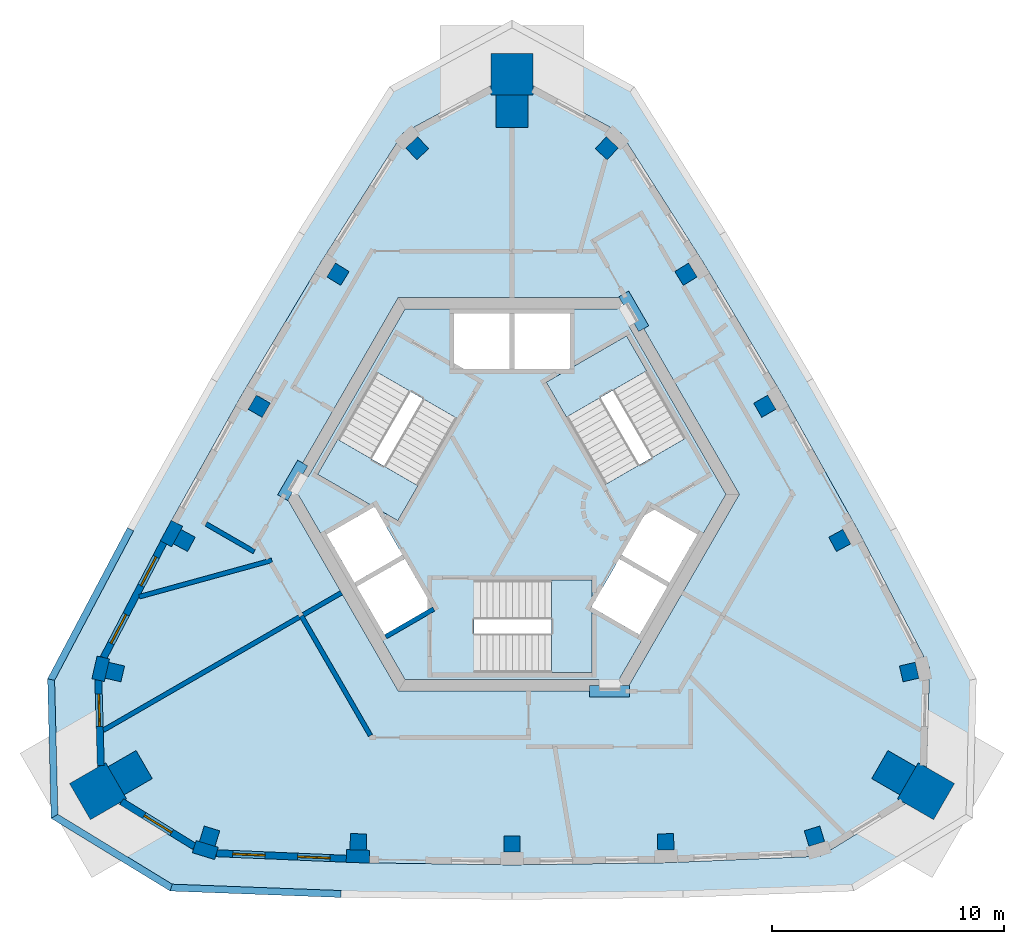
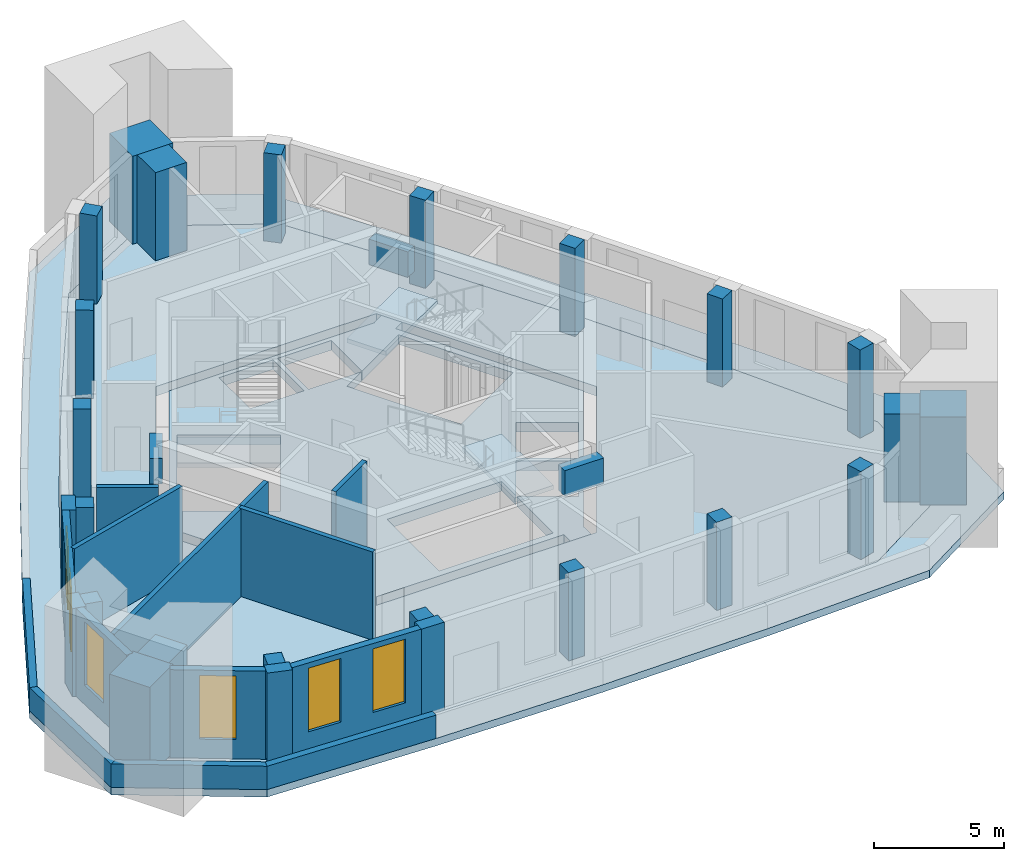
# One storey, part 1 of 7: 21 columns, 18 walls, 6 slabs, 6 windows, 3 beams, 6 openings, 3 elements without a shape of their own.
"""IFC4 building model written with IfcOpenShell, lengths in metres."""

from ifc_helpers import new_model, si_unit, direction, frame, frame_2d, origin, origin_2d, place, context, subcontext, project, spatial, polyline, rectangle, outline, extrude, material, layer, layer_set, material_profile, profile_set, type_object, element, fill, aggregate, save


model = new_model("IFC4")

# Units and contexts
model_context = context("Model", 3, precision=1e-05, world=origin(), true_north=direction((0.0, 1.0)))
body_context = subcontext(model_context, "Body", "Model", "MODEL_VIEW")
ifc_project = project(units=[si_unit("LENGTHUNIT", "METRE"), si_unit("AREAUNIT", "SQUARE_METRE"), si_unit("VOLUMEUNIT", "CUBIC_METRE"), si_unit("PLANEANGLEUNIT", "RADIAN"), si_unit("MASSUNIT", "GRAM", prefix="KILO")], contexts=[model_context])

# Site, building, storey
site_placement = place(None, origin())
site = spatial("IfcSite", under=ifc_project, at=site_placement, CompositionType="ELEMENT")
building_placement = place(site_placement, origin())
building = spatial("IfcBuilding", under=site, at=building_placement, Name="Entoto Arch Interchange Tower", CompositionType="ELEMENT")
storey_placement = place(building_placement, frame((0.0, 0.0, 349.39990234375)))
storey = spatial("IfcBuildingStorey", under=building, at=storey_placement, Name="L82", CompositionType="ELEMENT", Elevation=349.39990234375)

# Columns
ifc_material_1 = material(Name="Concrete C40/50", Category="concrete")
ifc_material_profile_1 = material_profile(ifc_material_1, rectangle(XDim=0.699951171875, YDim=0.699951171875, at=origin_2d()))
ifc_profile_set_1 = profile_set([ifc_material_profile_1], Name="Concrete C40/50")
column_type_1 = type_object("IfcColumnType", Name="Column RC 700x700 C40/50", PredefinedType="COLUMN", material=ifc_profile_set_1)
for number, where, z_axis, x_axis, name in (
    (1, (-13.055908203125, -12.260986328125, 0.0), (0.0, 0.0, 1.0), (-0.956141315658, 0.292905760428, 0.0), "Column S01 L82"),
    (2, (-6.634033203125, -12.506103515625, 0.0), (0.0, 0.0, 1.0), (-0.999597836772, 0.028357798245, 0.0), "Column S02 L82"),
    (3, (0.0, -12.60009765625, 0.0), (0.0, 0.0, 1.0), (1.0, 0.0, 0.0), "Column S03 L82"),
    (4, (6.634033203125, -12.506103515625, 0.0), (0.0, 0.0, 1.0), (0.999597836772, 0.028357798245, 0.0), "Column S04 L82"),
    (5, (13.055908203125, -12.260986328125, 0.0), (0.0, 0.0, 1.0), (0.956141315658, 0.292905760428, 0.0), "Column S05 L82"),
    (6, (17.14697265625, -5.176025390625, 0.0), (0.0, 0.0, 1.0), (-0.224406828383, 0.974495549182, 0.0), "Column NE01 L82"),
    (7, (14.14892578125, 0.5048828125, 0.0), (0.0, 0.0, 1.0), (-0.475224988253, 0.87986431371, 0.0), "Column NE02 L82"),
    (8, (10.912109375, 6.300048828125, 0.0), (0.0, 0.0, 1.0), (-0.5, 0.866025403784, 0.0), "Column NE03 L82"),
    (9, (7.511962890625, 12.0009765625, 0.0), (0.0, 0.0, 1.0), (-0.524372353429, 0.851489069195, 0.0), "Column NE04 L82"),
    (10, (4.091064453125, 17.43701171875, 0.0), (0.0, 0.0, 1.0), (-0.731734487274, 0.681589788754, 0.0), "Column NE05 L82"),
    (11, (-4.091064453125, 17.43701171875, 0.0), (0.0, 0.0, 1.0), (0.731734487274, 0.681589788754, 0.0), "Column NW01 L82"),
    (12, (-7.511962890625, 12.0009765625, 0.0), (0.0, 0.0, 1.0), (0.524372353429, 0.851489069195, 0.0), "Column NW02 L82"),
    (13, (-10.912109375, 6.300048828125, 0.0), (0.0, 0.0, 1.0), (0.5, 0.866025403784, 0.0), "Column NW03 L82"),
    (14, (-14.14892578125, 0.5048828125, 0.0), (0.0, 0.0, 1.0), (0.475224988253, 0.87986431371, 0.0), "Column NW04 L82"),
    (15, (-17.14697265625, -5.176025390625, 0.0), (0.0, 0.0, 1.0), (0.224406828383, 0.974495549182, 0.0), "Column NW05 L82"),
):
    element("IfcColumn", number, at=place(storey_placement, frame(where, z_axis=z_axis, x_axis=x_axis)), inside=storey, type_object=column_type_1, Name=name, PredefinedType="COLUMN", context=body_context, shape_type="SweptSolid", body=[
        extrude(rectangle(XDim=0.699951171875, YDim=0.699951171875, at=origin_2d()), origin(), (0.0, 0.0, 1.0), 4.150146484375),
    ])
ifc_material_2 = material(Name="Precast concrete C40/50", Category="concrete")
ifc_material_profile_2 = material_profile(ifc_material_2, rectangle(XDim=1.800048828125, YDim=1.800048828125, at=origin_2d()))
ifc_profile_set_2 = profile_set([ifc_material_profile_2], Name="Precast concrete C40/50")
column_type_2 = type_object("IfcColumnType", Name="Frame post RC 1800x1800 precast C40/50", PredefinedType="COLUMN", material=ifc_profile_set_2)
for number, where, z_axis, x_axis, name in (
    (16, (17.8720703125, -10.319091796875, 0.0), (0.0, 0.0, 1.0), (-0.866025403784, 0.5, 0.0), "Frame post SE L82"),
    (17, (0.0, 20.636962890625, 0.0), (0.0, 0.0, 1.0), (0.0, 1.0, 0.0), "Frame post N L82"),
    (18, (-17.8720703125, -10.319091796875, 0.0), (0.0, 0.0, 1.0), (0.866025403784, 0.5, 0.0), "Frame post SW L82"),
):
    element("IfcColumn", number, at=place(storey_placement, frame(where, z_axis=z_axis, x_axis=x_axis)), inside=storey, type_object=column_type_2, Name=name, PredefinedType="COLUMN", context=body_context, shape_type="SweptSolid", body=[
        extrude(rectangle(XDim=1.800048828125, YDim=1.800048828125, at=origin_2d()), origin(), (0.0, 0.0, 1.0), 4.150146484375),
    ])
ifc_material_profile_3 = material_profile(ifc_material_1, rectangle(XDim=1.39990234375, YDim=1.39990234375, at=origin_2d()))
ifc_profile_set_3 = profile_set([ifc_material_profile_3], Name="Concrete C40/50")
column_type_3 = type_object("IfcColumnType", Name="Mega column RC 1400x1400 C40/50", PredefinedType="COLUMN", material=ifc_profile_set_3)
for number, where, z_axis, x_axis, name in (
    (19, (16.486083984375, -9.51904296875, 0.0), (0.0, 0.0, 1.0), (-0.866025403784, 0.5, 0.0), "Corner mega column SE1 L82"),
    (20, (0.0, 19.037109375, 0.0), (0.0, 0.0, 1.0), (0.0, 1.0, 0.0), "Corner mega column N1 L82"),
    (21, (-16.486083984375, -9.51904296875, 0.0), (0.0, 0.0, 1.0), (0.866025403784, 0.5, 0.0), "Corner mega column SW1 L82"),
):
    element("IfcColumn", number, at=place(storey_placement, frame(where, z_axis=z_axis, x_axis=x_axis)), inside=storey, type_object=column_type_3, Name=name, PredefinedType="COLUMN", context=body_context, shape_type="SweptSolid", body=[
        extrude(rectangle(XDim=1.39990234375, YDim=1.39990234375, at=origin_2d()), origin(), (0.0, 0.0, 1.0), 4.150146484375),
    ])

# Beams
ifc_material_profile_4 = material_profile(ifc_material_1, rectangle(XDim=0.5, YDim=1.199951171875, at=origin_2d()))
ifc_profile_set_4 = profile_set([ifc_material_profile_4], Name="Concrete C40/50")
beam_type = type_object("IfcBeamType", Name="Coupling beam RC 500x1200 C40/50", PredefinedType="BEAM", material=ifc_profile_set_4)
for number, where, z_axis, x_axis, name in (
    (22, (5.68603515625, 9.65087890625, 3.0), (-0.500105721196, 0.865964357019, 0.0), (-0.865964357019, -0.500105721196, 0.0), "Coupling beam NE L82"),
    (23, (-9.035888671875, 3.84912109375, 3.0), (-0.500105721196, -0.865964357019, 0.0), (0.865964357019, -0.500105721196, 0.0), "Coupling beam NW L82"),
):
    element("IfcBeam", number, at=place(storey_placement, frame(where, z_axis=z_axis, x_axis=x_axis)), inside=storey, type_object=beam_type, Name=name, PredefinedType="BEAM", context=body_context, shape_type="SweptSolid", body=[
        extrude(rectangle(XDim=0.5, YDim=1.199951171875, at=origin_2d()), origin(), (0.0, 0.0, 1.0), 1.727783203125),
    ])
beam_placement = place(storey_placement, frame((3.35009765625, -6.0, 3.0), z_axis=(1.0, 0.0, 0.0), x_axis=(0.0, 1.0, 0.0)))
element("IfcBeam", 24, at=beam_placement, inside=storey, type_object=beam_type, Name="Coupling beam S L82", PredefinedType="BEAM", context=body_context, shape_type="SweptSolid", body=[
    extrude(rectangle(XDim=0.5, YDim=1.199951171875, at=origin_2d()), origin(), (0.0, 0.0, 1.0), 1.725830078125),
])

# Slab
ifc_layer_1 = layer(ifc_material_1, 0.449951171875)
ifc_layer_set_1 = layer_set([ifc_layer_1], Name="Concrete C40/50")
slab_type_1 = type_object("IfcSlabType", Name="Core floor slab 450 C40/50", PredefinedType="FLOOR", material=ifc_layer_set_1)
slab_1_placement = place(storey_placement, frame((0.0, 0.0, -0.449951171875)))
element("IfcSlab", 25, at=slab_1_placement, inside=storey, type_object=slab_type_1, Name="Core floor slab L82", PredefinedType="FLOOR", context=body_context, shape_type="SweptSolid", body=[
    extrude(outline(polyline([(-9.208984375, 2.449951171875), (-9.222900390625, 2.425048828125), (-9.699951171875, 2.699951171875), (-9.236083984375, 3.501953125), (-8.802978515625, 3.2529296875), (-4.618896484375, 10.5), (4.56103515625, 10.5), (4.5458984375, 10.52490234375), (5.02197265625, 10.800048828125), (5.486083984375, 9.998046875), (5.052978515625, 9.748046875), (9.238037109375, 2.5), (4.64794921875, -5.449951171875), (4.676025390625, -5.449951171875), (4.676025390625, -6.0), (3.75, -6.0), (3.75, -5.5), (-4.618896484375, -5.5), (-9.208984375, 2.449951171875)]), holes=[polyline([(-1.64990234375, -5.199951171875), (3.449951171875, -5.199951171875), (3.449951171875, -2.3779296875), (5.5048828125, -3.56494140625), (6.705078125, -1.487060546875), (4.626953125, -0.287109375), (3.449951171875, -2.324951171875), (3.449951171875, -1.199951171875), (-1.64990234375, -1.199951171875), (-1.64990234375, -5.199951171875)]), polyline([(-4.626953125, -0.287109375), (-6.705078125, -1.487060546875), (-5.5048828125, -3.56494140625), (-3.427001953125, -2.364990234375), (-4.626953125, -0.287109375)]), polyline([(-5.904052734375, 1.925048828125), (-4.928955078125, 1.362060546875), (-2.37890625, 5.779052734375), (-5.843017578125, 7.779052734375), (-8.39306640625, 3.362060546875), (-5.949951171875, 1.951904296875), (-8.0048828125, 0.764892578125), (-6.804931640625, -1.31298828125), (-4.72705078125, -0.113037109375), (-5.904052734375, 1.925048828125)]), polyline([(4.72705078125, -0.113037109375), (6.804931640625, -1.31298828125), (8.0048828125, 0.764892578125), (5.927001953125, 1.965087890625), (4.72705078125, -0.113037109375)]), polyline([(2.5, 7.927001953125), (2.5, 10.300048828125), (0.10009765625, 10.300048828125), (0.10009765625, 7.89990234375), (2.452880859375, 7.89990234375), (1.47900390625, 7.337890625), (4.029052734375, 2.9208984375), (7.492919921875, 4.9208984375), (4.943115234375, 9.337890625), (2.5, 7.927001953125)]), polyline([(-2.5, 7.89990234375), (-0.10009765625, 7.89990234375), (-0.10009765625, 10.300048828125), (-2.5, 10.300048828125), (-2.5, 7.89990234375)])]), origin(), (0.0, 0.0, 1.0), 0.449951171875),
])

# Stair, slab
stair_type = type_object("IfcStairType", Name="EXIT STAIR RC 1700", PredefinedType="HALF_TURN_STAIR", material=ifc_material_1)
stair_1_placement = place(storey_placement, origin())
stair_1 = element("IfcStair", 26, at=stair_1_placement, inside=storey, type_object=stair_type, Name="L82 Exit stair S", PredefinedType="HALF_TURN_STAIR")
ifc_layer_2 = layer(ifc_material_1, 0.199951171875)
ifc_layer_set_2 = layer_set([ifc_layer_2], Name="Concrete C40/50")
slab_type_2 = type_object("IfcSlabType", Name="EXIT STAIR LANDING RC 200", PredefinedType="LANDING", material=ifc_layer_set_2)
slab_2_placement = place(storey_placement, frame((0.0, 0.0, 2.050048828125)))
slab_2 = element("IfcSlab", 27, at=slab_2_placement, type_object=slab_type_2, Name="ST-S landing 1", PredefinedType="LANDING", context=body_context, shape_type="SweptSolid", body=[
    extrude(outline(polyline([(1.7099609375, -5.199951171875), (3.449951171875, -5.199951171875), (3.449951171875, -1.199951171875), (1.7099609375, -1.199951171875), (1.7099609375, -5.199951171875)])), origin(), (0.0, 0.0, 1.0), 0.199951171875),
])
aggregate(stair_1, [slab_2])

stair_2_placement = place(storey_placement, origin())
stair_2 = element("IfcStair", 28, at=stair_2_placement, inside=storey, type_object=stair_type, Name="L82 Exit stair NE", PredefinedType="HALF_TURN_STAIR")
slab_3_placement = place(storey_placement, frame((0.0, 0.0, 2.050048828125)))
slab_3 = element("IfcSlab", 29, at=slab_3_placement, type_object=slab_type_2, Name="ST-NE landing 1", PredefinedType="LANDING", context=body_context, shape_type="SweptSolid", body=[
    extrude(outline(polyline([(5.8134765625, 7.830810546875), (4.943359375, 9.337890625), (1.479248046875, 7.337890625), (2.349365234375, 5.830810546875), (5.8134765625, 7.830810546875)])), origin(), (0.0, 0.0, 1.0), 0.199951171875),
])
aggregate(stair_2, [slab_3])

stair_3_placement = place(storey_placement, origin())
stair_3 = element("IfcStair", 30, at=stair_3_placement, inside=storey, type_object=stair_type, Name="L82 Exit stair NW", PredefinedType="HALF_TURN_STAIR")
slab_4_placement = place(storey_placement, frame((0.0, 0.0, 2.050048828125)))
slab_4 = element("IfcSlab", 31, at=slab_4_placement, type_object=slab_type_2, Name="ST-NW landing 1", PredefinedType="LANDING", context=body_context, shape_type="SweptSolid", body=[
    extrude(outline(polyline([(-7.5234375, 4.869140625), (-8.393310546875, 3.3623046875), (-4.92919921875, 1.3623046875), (-4.059326171875, 2.869140625), (-7.5234375, 4.869140625)])), origin(), (0.0, 0.0, 1.0), 0.199951171875),
])
aggregate(stair_3, [slab_4])

# Slabs
ifc_layer_3 = layer(ifc_material_1, 0.449951171875)
ifc_layer_set_3 = layer_set([ifc_layer_3], Name="Concrete C40/50")
slab_type_3 = type_object("IfcSlabType", Name="Post-tensioned flat plate 450 C40/50", PredefinedType="FLOOR", material=ifc_layer_set_3)
slab_5_placement = place(storey_placement, frame((0.0, 0.0, -0.449951171875)))
element("IfcSlab", 32, at=slab_5_placement, inside=storey, type_object=slab_type_3, Name="Floor slab L82", PredefinedType="FLOOR", context=body_context, shape_type="SweptSolid", body=[
    extrude(outline(polyline([(-13.320068359375, -13.1220703125), (-6.659912109375, -13.406005859375), (0.0, -13.5), (6.659912109375, -13.406005859375), (13.320068359375, -13.1220703125), (17.8720703125, -10.319091796875), (18.02392578125, -4.97412109375), (14.94091796875, 0.93310546875), (11.69091796875, 6.75), (8.278076171875, 12.472900390625), (4.7041015625, 18.095947265625), (0.0, 20.636962890625), (-4.7041015625, 18.095947265625), (-8.278076171875, 12.472900390625), (-11.69091796875, 6.75), (-14.94091796875, 0.93310546875), (-18.02392578125, -4.97412109375), (-17.8720703125, -10.319091796875), (-13.320068359375, -13.1220703125)]), holes=[polyline([(4.906982421875, 11.0), (-4.906982421875, 11.0), (-9.81494140625, 2.5), (-4.906982421875, -6.0), (4.906982421875, -6.0), (9.81494140625, 2.5), (4.906982421875, 11.0)])]), origin(), (0.0, 0.0, 1.0), 0.449951171875),
])
ifc_material_3 = material(Name="Board-marked precast concrete C50/60", Category="concrete")
ifc_layer_4 = layer(ifc_material_3, 0.35009765625)
ifc_layer_set_4 = layer_set([ifc_layer_4], Name="Board-marked precast concrete C50/60")
slab_type_4 = type_object("IfcSlabType", Name="TERRACE SLAB 350", PredefinedType="FLOOR", material=ifc_layer_set_4)
slab_6_placement = place(storey_placement, frame((0.0, 0.0, -0.349853515625)))
element("IfcSlab", 33, at=slab_6_placement, inside=storey, type_object=slab_type_4, Name="Crown terrace slab L82", PredefinedType="FLOOR", context=body_context, shape_type="SweptSolid", body=[
    extrude(outline(polyline([(-19.89794921875, -11.488037109375), (-20.049072265625, -5.465087890625), (-16.60107421875, 1.06201171875), (-12.989990234375, 7.5), (-9.219970703125, 13.845947265625), (-5.291015625, 20.094970703125), (0.0, 22.97607421875), (5.291015625, 20.094970703125), (9.219970703125, 13.845947265625), (12.989990234375, 7.5), (16.60107421875, 1.06201171875), (20.049072265625, -5.465087890625), (19.89794921875, -11.488037109375), (14.757080078125, -14.6298828125), (7.37890625, -14.907958984375), (0.0, -15.0), (-7.37890625, -14.907958984375), (-14.757080078125, -14.6298828125), (-19.89794921875, -11.488037109375)]), holes=[polyline([(-6.659912109375, -13.406005859375), (0.0, -13.5), (6.659912109375, -13.406005859375), (13.320068359375, -13.1220703125), (17.8720703125, -10.319091796875), (18.02392578125, -4.97412109375), (14.94091796875, 0.93310546875), (11.69091796875, 6.75), (8.278076171875, 12.472900390625), (4.7041015625, 18.095947265625), (0.0, 20.636962890625), (-4.7041015625, 18.095947265625), (-8.278076171875, 12.472900390625), (-11.69091796875, 6.75), (-14.94091796875, 0.93310546875), (-18.02392578125, -4.97412109375), (-17.8720703125, -10.319091796875), (-13.320068359375, -13.1220703125), (-6.659912109375, -13.406005859375)])]), origin(), (0.0, 0.0, 1.0), 0.349853515625),
])

# Walls
ifc_layer_5 = layer(ifc_material_1, 0.199951171875)
ifc_layer_set_5 = layer_set([ifc_layer_5], Name="Concrete C40/50")
wall_type_1 = type_object("IfcWallType", Name="LIFT SHAFT WALL 200", PredefinedType="STANDARD", material=ifc_layer_set_5)
wall_1_placement = place(storey_placement, frame((-3.376953125, -2.451904296875, 0.0), z_axis=(0.0, 0.0, 1.0), x_axis=(-0.865955154139, -0.50012165622, 0.0)))
element("IfcWall", 34, at=wall_1_placement, inside=storey, type_object=wall_type_1, Name="Shaft wall SW1 cross 3", PredefinedType="STANDARD", context=body_context, shape_type="SweptSolid", body=[
    extrude(rectangle(XDim=2.39990234375, YDim=0.199951171875, at=frame_2d((1.199951171875, 0.0))), origin(), (0.0, 0.0, 1.0), 4.150146484375),
])
ifc_layer_6 = layer(ifc_material_3, 0.300048828125)
ifc_layer_set_6 = layer_set([ifc_layer_6], Name="Board-marked precast concrete C50/60")
wall_type_2 = type_object("IfcWallType", Name="PARAPET PRECAST 300", PredefinedType="PARAPET", material=ifc_layer_set_6)
wall_2_placement = place(storey_placement, origin())
element("IfcWall", 35, at=wall_2_placement, inside=storey, type_object=wall_type_2, Name="Setback roof parapet L82 1", PredefinedType="PARAPET", context=body_context, shape_type="SweptSolid", body=[
    extrude(outline(polyline([(-14.757080078125, -14.6298828125), (-7.37890625, -14.907958984375), (-7.37109375, -14.60791015625), (-14.6669921875, -14.3330078125), (-14.757080078125, -14.6298828125)])), origin(), (0.0, 0.0, 1.0), 1.10009765625),
])
wall_3_placement = place(storey_placement, origin())
element("IfcWall", 36, at=wall_3_placement, inside=storey, type_object=wall_type_2, Name="Setback roof parapet L82 16", PredefinedType="PARAPET", context=body_context, shape_type="SweptSolid", body=[
    extrude(outline(polyline([(-16.60107421875, 1.06201171875), (-20.049072265625, -5.465087890625), (-19.7470703125, -5.535888671875), (-16.337890625, 0.9189453125), (-16.60107421875, 1.06201171875)])), origin(), (0.0, 0.0, 1.0), 1.10009765625),
])
wall_4_placement = place(storey_placement, origin())
element("IfcWall", 37, at=wall_4_placement, inside=storey, type_object=wall_type_2, Name="Setback roof parapet L82 17", PredefinedType="PARAPET", context=body_context, shape_type="SweptSolid", body=[
    extrude(outline(polyline([(-20.049072265625, -5.465087890625), (-19.89794921875, -11.488037109375), (-19.60205078125, -11.31689453125), (-19.7470703125, -5.535888671875), (-20.049072265625, -5.465087890625)])), origin(), (0.0, 0.0, 1.0), 1.10009765625),
])
wall_5_placement = place(storey_placement, origin())
element("IfcWall", 38, at=wall_5_placement, inside=storey, type_object=wall_type_2, Name="Setback roof parapet L82 18", PredefinedType="PARAPET", context=body_context, shape_type="SweptSolid", body=[
    extrude(outline(polyline([(-19.89794921875, -11.488037109375), (-14.757080078125, -14.6298828125), (-14.6669921875, -14.3330078125), (-19.60205078125, -11.31689453125), (-19.89794921875, -11.488037109375)])), origin(), (0.0, 0.0, 1.0), 1.10009765625),
])
ifc_material_4 = material(Name="Gypsum board partition on steel studs", Category="steel")
ifc_layer_7 = layer(ifc_material_4, 0.199951171875)
ifc_layer_set_7 = layer_set([ifc_layer_7], Name="Gypsum board partition on steel studs")
wall_type_3 = type_object("IfcWallType", Name="PARTITION 200", PredefinedType="PARTITIONING", material=ifc_layer_set_7)
wall_6_placement = place(storey_placement, frame((-6.112060546875, -7.9130859375, 0.0), z_axis=(0.0, 0.0, 1.0), x_axis=(-0.500006035293, 0.866021919278, 0.0)))
element("IfcWall", 39, at=wall_6_placement, inside=storey, type_object=wall_type_3, Name="wall:L82:p018", PredefinedType="PARTITIONING", context=body_context, shape_type="SweptSolid", body=[
    extrude(rectangle(XDim=5.9619140625, YDim=0.199951171875, at=frame_2d((2.98095703125, 0.0))), origin(), (0.0, 0.0, 1.0), 4.150146484375),
])
wall_7_placement = place(storey_placement, frame((-9.006103515625, -2.699951171875, 0.0), z_axis=(0.0, 0.0, 1.0), x_axis=(0.865980106173, 0.500078449558, 0.0)))
element("IfcWall", 40, at=wall_7_placement, inside=storey, type_object=wall_type_3, Name="wall:L82:p019", PredefinedType="PARTITIONING", context=body_context, shape_type="SweptSolid", body=[
    extrude(rectangle(XDim=1.899658203125, YDim=0.199951171875, at=frame_2d((0.94970703125, 0.0))), origin(), (0.0, 0.0, 1.0), 4.150146484375),
])
wall_8_placement = place(storey_placement, frame((-17.64697265625, -7.68896484375, 0.0), z_axis=(0.0, 0.0, 1.0), x_axis=(0.866016483303, 0.500015450408, 0.0)))
element("IfcWall", 41, at=wall_8_placement, inside=storey, type_object=wall_type_3, Name="wall:L82:p024", PredefinedType="PARTITIONING", context=body_context, shape_type="SweptSolid", body=[
    extrude(rectangle(XDim=9.977783203125, YDim=0.199951171875, at=frame_2d((4.98876953125, 0.0))), origin(), (0.0, 0.0, 1.0), 4.150146484375),
])
wall_9_placement = place(storey_placement, frame((-11.131103515625, 0.02001953125, 0.0), z_axis=(0.0, 0.0, 1.0), x_axis=(-0.865973769406, 0.500089422704, 0.0)))
element("IfcWall", 42, at=wall_9_placement, inside=storey, type_object=wall_type_3, Name="wall:L82:p042", PredefinedType="PARTITIONING", context=body_context, shape_type="SweptSolid", body=[
    extrude(rectangle(XDim=2.3994140625, YDim=0.199951171875, at=frame_2d((1.19970703125, 0.0))), origin(), (0.0, 0.0, 1.0), 4.150146484375),
])
wall_10_placement = place(storey_placement, frame((-10.367919921875, -0.34912109375, 0.0), z_axis=(0.0, 0.0, 1.0), x_axis=(-0.964223787392, -0.265089584534, 0.0)))
element("IfcWall", 43, at=wall_10_placement, inside=storey, type_object=wall_type_3, Name="wall:L82:p050", PredefinedType="PARTITIONING", context=body_context, shape_type="SweptSolid", body=[
    extrude(rectangle(XDim=5.9375, YDim=0.199951171875, at=frame_2d((2.96875, 0.0))), origin(), (0.0, 0.0, 1.0), 4.150146484375),
])

# Wall, openings, windows
ifc_material_5 = material(Name="Welded tuff (ignimbrite) cladding, warm buff", Category="masonry")
ifc_layer_8 = layer(ifc_material_5, 0.300048828125)
ifc_layer_set_8 = layer_set([ifc_layer_8], Name="Welded tuff (ignimbrite) cladding, warm buff")
wall_type_4 = type_object("IfcWallType", Name="STONE INFILL WALL 300", PredefinedType="STANDARD", material=ifc_layer_set_8)
wall_11_placement = place(storey_placement, frame((-12.759033203125, -12.99609375, 0.0), z_axis=(0.0, 0.0, 1.0), x_axis=(0.999092021685, -0.042604368378, 0.0)))
wall_11 = element("IfcWall", 44, at=wall_11_placement, inside=storey, type_object=wall_type_4, Name="Facade wall S-01 L82", PredefinedType="STANDARD", context=body_context, shape_type="SweptSolid", body=[
    extrude(rectangle(XDim=5.610107421875, YDim=0.300048828125, at=frame_2d((2.80517578125, 0.0))), origin(), (0.0, 0.0, 1.0), 4.150146484375),
])
opening_1_placement = place(wall_11_placement, frame((0.702880859375, 0.0, 0.89990234375)))
opening_1 = element("IfcOpeningElement", 45, at=opening_1_placement, cuts=wall_11, Name="Opening WK-B", PredefinedType="OPENING", context=body_context, shape_type="SweptSolid", body=[
    extrude(rectangle(XDim=1.39990234375, YDim=3.0, at=frame_2d((0.699951171875, 1.5))), frame((0.0, 0.16015625, 0.0), z_axis=(0.0, -1.0, 0.0), x_axis=(1.0, 0.0, 0.0)), (0.0, 0.0, 1.0), 0.320068359375),
])
opening_2_placement = place(wall_11_placement, frame((3.508056640625, 0.0, 0.89990234375)))
opening_2 = element("IfcOpeningElement", 46, at=opening_2_placement, cuts=wall_11, Name="Opening WK-B", PredefinedType="OPENING", context=body_context, shape_type="SweptSolid", body=[
    extrude(rectangle(XDim=1.39990234375, YDim=3.0, at=frame_2d((0.699951171875, 1.5))), frame((0.0, 0.16015625, 0.0), z_axis=(0.0, -1.0, 0.0), x_axis=(1.0, 0.0, 0.0)), (0.0, 0.0, 1.0), 0.320068359375),
])
ifc_material_6 = material(Name="Clear glass, low-e double glazed", Category="glass")
window_type = type_object("IfcWindowType", Name="WINDOW WK-B 1400x3000", PartitioningType="DOUBLE_PANEL_VERTICAL", PredefinedType="WINDOW", material=ifc_material_6)
window_1_placement = place(opening_1_placement, origin())
window_1 = element("IfcWindow", 47, at=window_1_placement, inside=storey, type_object=window_type, Name="Window WK-B S-01 L82", OverallHeight=3.0, OverallWidth=1.39990234375, PartitioningType="SINGLE_PANEL", PredefinedType="WINDOW", context=body_context, shape_type="SweptSolid", body=[
    extrude(rectangle(XDim=1.39990234375, YDim=3.0, at=frame_2d((0.699951171875, 1.5))), frame((0.0, 0.030029296875, 0.0), z_axis=(0.0, -1.0, 0.0), x_axis=(1.0, 0.0, 0.0)), (0.0, 0.0, 1.0), 0.06005859375),
])
fill(opening_1, window_1)
window_2_placement = place(opening_2_placement, origin())
window_2 = element("IfcWindow", 48, at=window_2_placement, inside=storey, type_object=window_type, Name="Window WK-B S-01 L82", OverallHeight=3.0, OverallWidth=1.39990234375, PartitioningType="SINGLE_PANEL", PredefinedType="WINDOW", context=body_context, shape_type="SweptSolid", body=[
    extrude(rectangle(XDim=1.39990234375, YDim=3.0, at=frame_2d((0.699951171875, 1.5))), frame((0.0, 0.030029296875, 0.0), z_axis=(0.0, -1.0, 0.0), x_axis=(1.0, 0.0, 0.0)), (0.0, 0.0, 1.0), 0.06005859375),
])
fill(opening_2, window_2)

wall_12_placement = place(storey_placement, frame((-15.0400390625, 0.4189453125, 0.0), z_axis=(0.0, 0.0, 1.0), x_axis=(-0.462629991654, -0.886551459771, 0.0)))
wall_12 = element("IfcWall", 49, at=wall_12_placement, inside=storey, type_object=wall_type_4, Name="Facade wall NW-04 L82", PredefinedType="STANDARD", context=body_context, shape_type="SweptSolid", body=[
    extrude(rectangle(XDim=5.607177734375, YDim=0.300048828125, at=frame_2d((2.8037109375, 0.0))), origin(), (0.0, 0.0, 1.0), 4.150146484375),
])
opening_3_placement = place(wall_12_placement, frame((0.701904296875, 0.0, 0.89990234375)))
opening_3 = element("IfcOpeningElement", 50, at=opening_3_placement, cuts=wall_12, Name="Opening WK-B", PredefinedType="OPENING", context=body_context, shape_type="SweptSolid", body=[
    extrude(rectangle(XDim=1.39990234375, YDim=3.0, at=frame_2d((0.699951171875, 1.5))), frame((0.0, 0.16015625, 0.0), z_axis=(0.0, -1.0, 0.0), x_axis=(1.0, 0.0, 0.0)), (0.0, 0.0, 1.0), 0.320068359375),
])
opening_4_placement = place(wall_12_placement, frame((3.5048828125, 0.0, 0.89990234375)))
opening_4 = element("IfcOpeningElement", 51, at=opening_4_placement, cuts=wall_12, Name="Opening WK-B", PredefinedType="OPENING", context=body_context, shape_type="SweptSolid", body=[
    extrude(rectangle(XDim=1.39990234375, YDim=3.0, at=frame_2d((0.699951171875, 1.5))), frame((0.0, 0.16015625, 0.0), z_axis=(0.0, -1.0, 0.0), x_axis=(1.0, 0.0, 0.0)), (0.0, 0.0, 1.0), 0.320068359375),
])
window_3_placement = place(opening_3_placement, origin())
window_3 = element("IfcWindow", 52, at=window_3_placement, inside=storey, type_object=window_type, Name="Window WK-B NW-04 L82", OverallHeight=3.0, OverallWidth=1.39990234375, PartitioningType="SINGLE_PANEL", PredefinedType="WINDOW", context=body_context, shape_type="SweptSolid", body=[
    extrude(rectangle(XDim=1.39990234375, YDim=3.0, at=frame_2d((0.699951171875, 1.5))), frame((0.0, 0.030029296875, 0.0), z_axis=(0.0, -1.0, 0.0), x_axis=(1.0, 0.0, 0.0)), (0.0, 0.0, 1.0), 0.06005859375),
])
fill(opening_3, window_3)
window_4_placement = place(opening_4_placement, origin())
window_4 = element("IfcWindow", 53, at=window_4_placement, inside=storey, type_object=window_type, Name="Window WK-B NW-04 L82", OverallHeight=3.0, OverallWidth=1.39990234375, PartitioningType="SINGLE_PANEL", PredefinedType="WINDOW", context=body_context, shape_type="SweptSolid", body=[
    extrude(rectangle(XDim=1.39990234375, YDim=3.0, at=frame_2d((0.699951171875, 1.5))), frame((0.0, 0.030029296875, 0.0), z_axis=(0.0, -1.0, 0.0), x_axis=(1.0, 0.0, 0.0)), (0.0, 0.0, 1.0), 0.06005859375),
])
fill(opening_4, window_4)

# Wall, opening, window
wall_13_placement = place(storey_placement, frame((-17.85791015625, -5.52392578125, 0.0), z_axis=(0.0, 0.0, 1.0), x_axis=(0.028453984805, -0.999595103404, 0.0)))
wall_13 = element("IfcWall", 54, at=wall_13_placement, inside=storey, type_object=wall_type_4, Name="Facade wall SW-01 L82", PredefinedType="STANDARD", context=body_context, shape_type="SweptSolid", body=[
    extrude(rectangle(XDim=3.689453125, YDim=0.300048828125, at=frame_2d((1.8447265625, 0.0))), origin(), (0.0, 0.0, 1.0), 4.150146484375),
])
opening_5_placement = place(wall_13_placement, frame((0.60009765625, 0.0, 0.89990234375)))
opening_5 = element("IfcOpeningElement", 55, at=opening_5_placement, cuts=wall_13, Name="Opening WK-B", PredefinedType="OPENING", context=body_context, shape_type="SweptSolid", body=[
    extrude(rectangle(XDim=1.39990234375, YDim=3.0, at=frame_2d((0.699951171875, 1.5))), frame((0.0, 0.16015625, 0.0), z_axis=(0.0, -1.0, 0.0), x_axis=(1.0, 0.0, 0.0)), (0.0, 0.0, 1.0), 0.320068359375),
])
window_5_placement = place(opening_5_placement, origin())
window_5 = element("IfcWindow", 56, at=window_5_placement, inside=storey, type_object=window_type, Name="Window WK-B SW-01 L82", OverallHeight=3.0, OverallWidth=1.39990234375, PartitioningType="SINGLE_PANEL", PredefinedType="WINDOW", context=body_context, shape_type="SweptSolid", body=[
    extrude(rectangle(XDim=1.39990234375, YDim=3.0, at=frame_2d((0.699951171875, 1.5))), frame((0.0, 0.030029296875, 0.0), z_axis=(0.0, -1.0, 0.0), x_axis=(1.0, 0.0, 0.0)), (0.0, 0.0, 1.0), 0.06005859375),
])
fill(opening_5, window_5)

wall_14_placement = place(storey_placement, frame((-16.85400390625, -10.77001953125, 0.0), z_axis=(0.0, 0.0, 1.0), x_axis=(0.851583283947, -0.524219334345, 0.0)))
wall_14 = element("IfcWall", 57, at=wall_14_placement, inside=storey, type_object=wall_type_4, Name="Facade wall SW-02 L82", PredefinedType="STANDARD", context=body_context, shape_type="SweptSolid", body=[
    extrude(rectangle(XDim=3.68701171875, YDim=0.300048828125, at=frame_2d((1.843505859375, 0.0))), origin(), (0.0, 0.0, 1.0), 4.150146484375),
])
opening_6_placement = place(wall_14_placement, frame((1.14404296875, 0.0, 0.89990234375)))
opening_6 = element("IfcOpeningElement", 58, at=opening_6_placement, cuts=wall_14, Name="Opening WK-B", PredefinedType="OPENING", context=body_context, shape_type="SweptSolid", body=[
    extrude(rectangle(XDim=1.39990234375, YDim=3.0, at=frame_2d((0.699951171875, 1.5))), frame((0.0, 0.16015625, 0.0), z_axis=(0.0, -1.0, 0.0), x_axis=(1.0, 0.0, 0.0)), (0.0, 0.0, 1.0), 0.320068359375),
])
window_6_placement = place(opening_6_placement, origin())
window_6 = element("IfcWindow", 59, at=window_6_placement, inside=storey, type_object=window_type, Name="Window WK-B SW-02 L82", OverallHeight=3.0, OverallWidth=1.39990234375, PartitioningType="SINGLE_PANEL", PredefinedType="WINDOW", context=body_context, shape_type="SweptSolid", body=[
    extrude(rectangle(XDim=1.39990234375, YDim=3.0, at=frame_2d((0.699951171875, 1.5))), frame((0.0, 0.030029296875, 0.0), z_axis=(0.0, -1.0, 0.0), x_axis=(1.0, 0.0, 0.0)), (0.0, 0.0, 1.0), 0.06005859375),
])
fill(opening_6, window_6)

# Walls
ifc_layer_9 = layer(ifc_material_5, 0.550048828125)
ifc_layer_set_9 = layer_set([ifc_layer_9], Name="Welded tuff (ignimbrite) cladding, warm buff")
wall_type_5 = type_object("IfcWallType", Name="STONE PIER CLADDING 550", PredefinedType="STANDARD", material=ifc_layer_set_9)
wall_15_placement = place(storey_placement, frame((-14.4609375, 1.241943359375, 0.0), z_axis=(0.0, 0.0, 1.0), x_axis=(-0.475874292304, -0.879513307417, 0.0)))
element("IfcWall", 60, at=wall_15_placement, inside=storey, type_object=wall_type_5, Name="Stone pier NW04 L82", PredefinedType="STANDARD", context=body_context, shape_type="SweptSolid", body=[
    extrude(rectangle(XDim=1.00048828125, YDim=0.550048828125, at=frame_2d((0.500244140625, 0.0))), origin(), (0.0, 0.0, 1.0), 4.150146484375),
])
wall_16_placement = place(storey_placement, frame((-17.64404296875, -4.548095703125, 0.0), z_axis=(0.0, 0.0, 1.0), x_axis=(-0.223825449309, -0.974629246556, 0.0)))
element("IfcWall", 61, at=wall_16_placement, inside=storey, type_object=wall_type_5, Name="Stone pier NW05 L82", PredefinedType="STANDARD", context=body_context, shape_type="SweptSolid", body=[
    extrude(rectangle(XDim=1.000244140625, YDim=0.550048828125, at=frame_2d((0.5, 0.0))), origin(), (0.0, 0.0, 1.0), 4.150146484375),
])
wall_17_placement = place(storey_placement, frame((-13.718017578125, -12.712890625, 0.0), z_axis=(0.0, 0.0, 1.0), x_axis=(0.95613166039, -0.292937276563, 0.0)))
element("IfcWall", 62, at=wall_17_placement, inside=storey, type_object=wall_type_5, Name="Stone pier S01 L82", PredefinedType="STANDARD", context=body_context, shape_type="SweptSolid", body=[
    extrude(rectangle(XDim=1.0009765625, YDim=0.550048828125, at=frame_2d((0.50048828125, 0.0))), origin(), (0.0, 0.0, 1.0), 4.150146484375),
])
wall_18_placement = place(storey_placement, frame((-7.152099609375, -13.116943359375, 0.0), z_axis=(0.0, 0.0, 1.0), x_axis=(0.999606097148, -0.028065112591, 0.0)))
element("IfcWall", 63, at=wall_18_placement, inside=storey, type_object=wall_type_5, Name="Stone pier S02 L82", PredefinedType="STANDARD", context=body_context, shape_type="SweptSolid", body=[
    extrude(rectangle(XDim=1.00048828125, YDim=0.550048828125, at=frame_2d((0.500244140625, 0.0))), origin(), (0.0, 0.0, 1.0), 4.150146484375),
])

save(model, "model.ifc")
